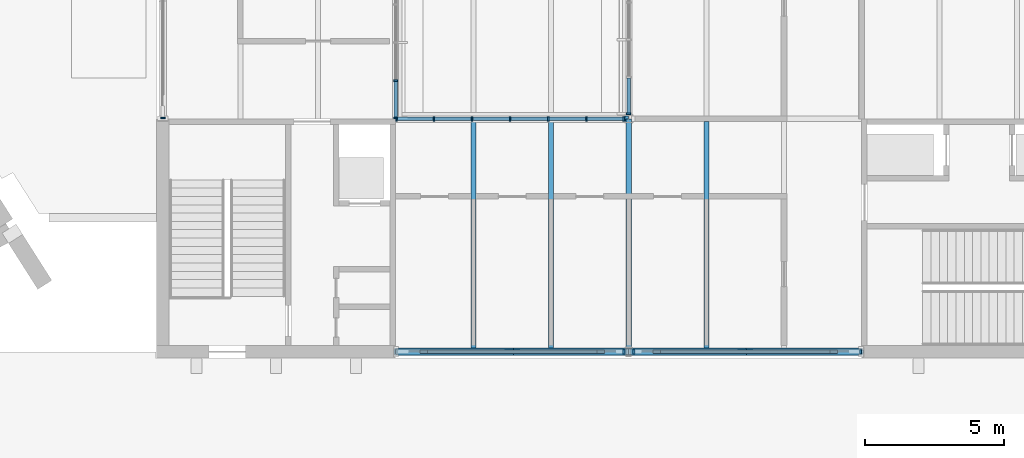
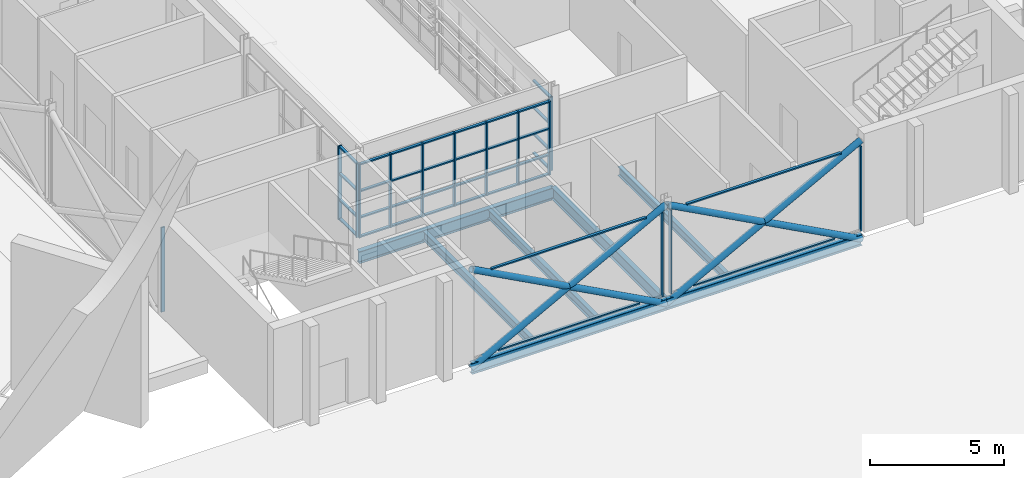
# One storey, part 39 of 116: 56 members, 7 beams, 6 elements without a shape of their own.
"""IFC4 building model written with IfcOpenShell, lengths in metres."""

from ifc_helpers import new_model, si_unit, direction, frame, origin, origin_2d, place, context, subcontext, project, spatial, rectangle, hollow_circle, i_section, extrude, material, layer, layer_set, material_profile, profile_set, type_object, element, aggregate, save


model = new_model("IFC4")

# Units and contexts
model_context = context("Model", 3, precision=1e-05, world=origin(), true_north=direction((0.0, 1.0)))
body_context = subcontext(model_context, "Body", "Model", "MODEL_VIEW")
ifc_project = project(units=[si_unit("LENGTHUNIT", "METRE"), si_unit("AREAUNIT", "SQUARE_METRE"), si_unit("VOLUMEUNIT", "CUBIC_METRE"), si_unit("PLANEANGLEUNIT", "RADIAN"), si_unit("MASSUNIT", "GRAM", prefix="KILO")], contexts=[model_context])

# Site, building, storey
site_placement = place(None, origin())
site = spatial("IfcSite", under=ifc_project, at=site_placement, CompositionType="ELEMENT")
building_placement = place(site_placement, origin())
building = spatial("IfcBuilding", under=site, at=building_placement, Name="Ardhachandra Cancer Care Centre", CompositionType="ELEMENT")
storey_placement = place(building_placement, origin())
storey = spatial("IfcBuildingStorey", under=building, at=storey_placement, Name="L00", CompositionType="ELEMENT", Elevation=0.0)

# Beams
ifc_material_1 = material(Name="Steel E350 (IS 2062)", Category="steel")
ifc_material_profile_1 = material_profile(ifc_material_1, i_section(OverallWidth=0.179931640625, OverallDepth=0.39990234375, WebThickness=0.008544921875, FlangeThickness=0.013427734375, FilletRadius=0.02099609375, at=origin_2d()), Name="NPB 400x180x66.30")
ifc_profile_set_1 = profile_set([ifc_material_profile_1], Name="Steel E350 (IS 2062)")
beam_type_1 = type_object("IfcBeamType", Name="Beam NPB 400x180x66.30", PredefinedType="BEAM", material=ifc_profile_set_1)
for number, where, z_axis, x_axis, name in (
    (1, (122.800048828125, 29.5, -0.35009765625), (0.0, 1.0, 0.0), (-1.0, 0.0, 0.0), "Secondary C14-D14@2800"),
    (2, (125.60009765625, 29.5, -0.35009765625), (0.0, 1.0, 0.0), (-1.0, 0.0, 0.0), "Secondary C14-D14@5600"),
    (3, (131.199951171875, 29.5, -0.35009765625), (0.0, 1.0, 0.0), (-1.0, 0.0, 0.0), "Secondary C15-D15@2800"),
):
    element("IfcBeam", number, at=place(storey_placement, frame(where, z_axis=z_axis, x_axis=x_axis)), inside=storey, type_object=beam_type_1, Name=name, PredefinedType="BEAM", context=body_context, shape_type="SweptSolid", body=[
        extrude(i_section(OverallWidth=0.179931640625, OverallDepth=0.39990234375, WebThickness=0.008544921875, FlangeThickness=0.013427734375, FilletRadius=0.02099609375, at=origin_2d()), origin(), (0.0, 0.0, 1.0), 8.195068359375),
    ])
ifc_material_2 = material(Name="Steel E350 (IS 2062)", Category="steel")
ifc_material_profile_2 = material_profile(ifc_material_2, i_section(OverallWidth=0.199951171875, OverallDepth=0.5, WebThickness=0.01025390625, FlangeThickness=0.01611328125, FilletRadius=0.02099609375, at=origin_2d()), Name="NPB 500x200x90.68")
ifc_profile_set_2 = profile_set([ifc_material_profile_2], Name="Steel E350 (IS 2062)")
beam_type_2 = type_object("IfcBeamType", Name="Beam NPB 500x200x90.68", PredefinedType="BEAM", material=ifc_profile_set_2)
beam_1_placement = place(storey_placement, frame((120.0, 29.39990234375, -0.39990234375), z_axis=(1.0, 0.0, 0.0), x_axis=(0.0, 1.0, 0.0)))
element("IfcBeam", 4, at=beam_1_placement, inside=storey, type_object=beam_type_2, Name="Edge girder C14-C15", PredefinedType="BEAM", context=body_context, shape_type="SweptSolid", body=[
    extrude(i_section(OverallWidth=0.199951171875, OverallDepth=0.5, WebThickness=0.01025390625, FlangeThickness=0.01611328125, FilletRadius=0.02099609375, at=origin_2d()), origin(), (0.0, 0.0, 1.0), 8.39990234375),
])
beam_2_placement = place(storey_placement, frame((128.39990234375, 29.39990234375, -0.39990234375), z_axis=(1.0, 0.0, 0.0), x_axis=(0.0, 1.0, 0.0)))
element("IfcBeam", 5, at=beam_2_placement, inside=storey, type_object=beam_type_2, Name="Edge girder C15-C16", PredefinedType="BEAM", context=body_context, shape_type="SweptSolid", body=[
    extrude(i_section(OverallWidth=0.199951171875, OverallDepth=0.5, WebThickness=0.01025390625, FlangeThickness=0.01611328125, FilletRadius=0.02099609375, at=origin_2d()), origin(), (0.0, 0.0, 1.0), 8.400146484375),
])
ifc_material_3 = material(Name="Steel E350 (IS 2062)", Category="steel")
ifc_material_profile_3 = material_profile(ifc_material_3, i_section(OverallWidth=0.2099609375, OverallDepth=0.550048828125, WebThickness=0.010986328125, FlangeThickness=0.01708984375, FilletRadius=0.02392578125, at=origin_2d()), Name="NPB 550x210x105.52")
ifc_profile_set_3 = profile_set([ifc_material_profile_3], Name="Steel E350 (IS 2062)")
beam_type_3 = type_object("IfcBeamType", Name="Beam NPB 550x210x105.52", PredefinedType="BEAM", material=ifc_profile_set_3)
beam_3_placement = place(storey_placement, frame((120.0, 37.800048828125, -0.425048828125), z_axis=(1.0, 0.0, 0.0), x_axis=(0.0, 1.0, 0.0)))
element("IfcBeam", 6, at=beam_3_placement, inside=storey, type_object=beam_type_3, Name="Girder D14-D15", PredefinedType="BEAM", context=body_context, shape_type="SweptSolid", body=[
    extrude(i_section(OverallWidth=0.2099609375, OverallDepth=0.550048828125, WebThickness=0.010986328125, FlangeThickness=0.01708984375, FilletRadius=0.02392578125, at=origin_2d()), origin(), (0.0, 0.0, 1.0), 8.39990234375),
])
beam_4_placement = place(storey_placement, frame((128.39990234375, 29.39990234375, -0.425048828125), z_axis=(0.0, 1.0, 0.0), x_axis=(-1.0, 0.0, 0.0)))
element("IfcBeam", 7, at=beam_4_placement, inside=storey, type_object=beam_type_3, Name="Girder C15-D15", PredefinedType="BEAM", context=body_context, shape_type="SweptSolid", body=[
    extrude(i_section(OverallWidth=0.2099609375, OverallDepth=0.550048828125, WebThickness=0.010986328125, FlangeThickness=0.01708984375, FilletRadius=0.02392578125, at=origin_2d()), origin(), (0.0, 0.0, 1.0), 8.400146484375),
])

# Members
ifc_material_4 = material(Name="Steel E350 (IS 2062)", Category="steel")
ifc_material_profile_4 = material_profile(ifc_material_4, hollow_circle(Radius=0.136474609375, WallThickness=0.010009765625, at=origin_2d()), Name="CHS 273x10.0")
ifc_profile_set_4 = profile_set([ifc_material_profile_4], Name="Steel E350 (IS 2062)")
member_type_1 = type_object("IfcMemberType", Name="Brace CHS 273x10.0", PredefinedType="BRACE", material=ifc_profile_set_4)
member_1_placement = place(storey_placement, frame((120.0, 29.39990234375, -0.39990234375), z_axis=(0.881477684796, 0.0, 0.472225678258), x_axis=(0.0, 1.0, 0.0)))
element("IfcMember", 8, at=member_1_placement, inside=storey, type_object=member_type_1, Name="Brace V4-X294-1200 L00 A", PredefinedType="BRACE", context=body_context, shape_type="SweptSolid", body=[
    extrude(hollow_circle(Radius=0.136474609375, WallThickness=0.010009765625, at=origin_2d()), origin(), (0.0, 0.0, 1.0), 9.529296875),
])
for number, where, z_axis, x_axis, name in (
    (9, (128.39990234375, 29.39990234375, -0.39990234375), (-0.881477684796, 0.0, 0.472225678258), (0.0, -1.0, 0.0), "Brace V4-X294-1200 L00 B1"),
    (10, (124.199951171875, 29.39990234375, 1.85009765625), (-0.881477684796, 0.0, 0.472225678258), (0.0, -1.0, 0.0), "Brace V4-X294-1200 L00 B2"),
):
    element("IfcMember", number, at=place(storey_placement, frame(where, z_axis=z_axis, x_axis=x_axis)), inside=storey, type_object=member_type_1, Name=name, PredefinedType="BRACE", context=body_context, shape_type="SweptSolid", body=[
        extrude(hollow_circle(Radius=0.136474609375, WallThickness=0.010009765625, at=origin_2d()), origin(), (0.0, 0.0, 1.0), 4.7646484375),
    ])
member_2_placement = place(storey_placement, frame((128.39990234375, 29.39990234375, -0.39990234375), z_axis=(0.881483397762, 0.0, 0.472215014025), x_axis=(0.0, 1.0, 0.0)))
element("IfcMember", 11, at=member_2_placement, inside=storey, type_object=member_type_1, Name="Brace V4-X294-1284 L00 A", PredefinedType="BRACE", context=body_context, shape_type="SweptSolid", body=[
    extrude(hollow_circle(Radius=0.136474609375, WallThickness=0.010009765625, at=origin_2d()), origin(), (0.0, 0.0, 1.0), 9.529541015625),
])
member_3_placement = place(storey_placement, frame((136.800048828125, 29.39990234375, -0.39990234375), z_axis=(-0.881477684796, 0.0, 0.472225678258), x_axis=(0.0, -1.0, 0.0)))
element("IfcMember", 12, at=member_3_placement, inside=storey, type_object=member_type_1, Name="Brace V4-X294-1284 L00 B1", PredefinedType="BRACE", context=body_context, shape_type="SweptSolid", body=[
    extrude(hollow_circle(Radius=0.136474609375, WallThickness=0.010009765625, at=origin_2d()), origin(), (0.0, 0.0, 1.0), 4.7646484375),
])
member_4_placement = place(storey_placement, frame((132.60009765625, 29.39990234375, 1.85009765625), z_axis=(-0.881489110341, 0.0, 0.472204350203), x_axis=(0.0, -1.0, 0.0)))
element("IfcMember", 13, at=member_4_placement, inside=storey, type_object=member_type_1, Name="Brace V4-X294-1284 L00 B2", PredefinedType="BRACE", context=body_context, shape_type="SweptSolid", body=[
    extrude(hollow_circle(Radius=0.136474609375, WallThickness=0.010009765625, at=origin_2d()), origin(), (0.0, 0.0, 1.0), 4.764892578125),
])

# Curtain wall, members
ifc_material_5 = material(Name="Aluminium extrusion", Category="aluminium")
ifc_layer = layer(ifc_material_5, 0.14990234375)
ifc_layer_set = layer_set([ifc_layer], Name="Aluminium extrusion")
curtain_wall_type = type_object("IfcCurtainWallType", Name="Curtain wall run", PredefinedType="NOTDEFINED", material=ifc_layer_set)
curtain_wall_1_placement = place(storey_placement, origin())
curtain_wall_1 = element("IfcCurtainWall", 14, at=curtain_wall_1_placement, inside=storey, type_object=curtain_wall_type, Name="Curtain wall L00 e/0120000_0037800", PredefinedType="NOTDEFINED")
ifc_material_6 = material(Name="Aluminium extrusion", Category="aluminium")
ifc_material_profile_5 = material_profile(ifc_material_6, rectangle(XDim=0.159912109375, YDim=0.06005859375, at=origin_2d()), Name="Curtain wall mullion 60 x 160")
ifc_profile_set_5 = profile_set([ifc_material_profile_5], Name="Aluminium extrusion")
member_type_2 = type_object("IfcMemberType", Name="Curtain wall mullion 60 x 160", PredefinedType="MULLION", material=ifc_profile_set_5)
member_5_placement = place(storey_placement, frame((120.0, 37.830078125, 0.449951171875), z_axis=(0.0, 0.0, 1.0), x_axis=(-1.0, 0.0, 0.0)))
member_5 = element("IfcMember", 15, at=member_5_placement, type_object=member_type_2, Name="CW mullion 1", PredefinedType="MULLION", context=body_context, shape_type="SweptSolid", body=[
    extrude(rectangle(XDim=0.159912109375, YDim=0.06005859375, at=origin_2d()), origin(), (0.0, 0.0, 1.0), 3.35009765625),
])
member_6_placement = place(storey_placement, frame((120.0, 39.175048828125, 0.449951171875), z_axis=(0.0, 0.0, 1.0), x_axis=(-1.0, 0.0, 0.0)))
member_6 = element("IfcMember", 16, at=member_6_placement, type_object=member_type_2, Name="CW mullion 2", PredefinedType="MULLION", context=body_context, shape_type="SweptSolid", body=[
    extrude(rectangle(XDim=0.159912109375, YDim=0.06005859375, at=origin_2d()), origin(), (0.0, 0.0, 1.0), 3.35009765625),
])

curtain_wall_2_placement = place(storey_placement, origin())
curtain_wall_2 = element("IfcCurtainWall", 17, at=curtain_wall_2_placement, inside=storey, type_object=curtain_wall_type, Name="Curtain wall L00 n/0120000_0037800", PredefinedType="NOTDEFINED")
member_7_placement = place(storey_placement, frame((120.030029296875, 37.800048828125, 0.449951171875), z_axis=(0.0, 0.0, 1.0), x_axis=(0.0, 1.0, 0.0)))
member_7 = element("IfcMember", 18, at=member_7_placement, type_object=member_type_2, Name="CW mullion 1", PredefinedType="MULLION", context=body_context, shape_type="SweptSolid", body=[
    extrude(rectangle(XDim=0.159912109375, YDim=0.06005859375, at=origin_2d()), origin(), (0.0, 0.0, 1.0), 3.35009765625),
])
member_8_placement = place(storey_placement, frame((121.375, 37.800048828125, 0.449951171875), z_axis=(0.0, 0.0, 1.0), x_axis=(0.0, 1.0, 0.0)))
member_8 = element("IfcMember", 19, at=member_8_placement, type_object=member_type_2, Name="CW mullion 2", PredefinedType="MULLION", context=body_context, shape_type="SweptSolid", body=[
    extrude(rectangle(XDim=0.159912109375, YDim=0.06005859375, at=origin_2d()), origin(), (0.0, 0.0, 1.0), 3.35009765625),
])
member_9_placement = place(storey_placement, frame((122.75, 37.800048828125, 0.449951171875), z_axis=(0.0, 0.0, 1.0), x_axis=(0.0, 1.0, 0.0)))
member_9 = element("IfcMember", 20, at=member_9_placement, type_object=member_type_2, Name="CW mullion 3", PredefinedType="MULLION", context=body_context, shape_type="SweptSolid", body=[
    extrude(rectangle(XDim=0.159912109375, YDim=0.06005859375, at=origin_2d()), origin(), (0.0, 0.0, 1.0), 3.35009765625),
])
member_10_placement = place(storey_placement, frame((124.125, 37.800048828125, 0.449951171875), z_axis=(0.0, 0.0, 1.0), x_axis=(0.0, 1.0, 0.0)))
member_10 = element("IfcMember", 21, at=member_10_placement, type_object=member_type_2, Name="CW mullion 4", PredefinedType="MULLION", context=body_context, shape_type="SweptSolid", body=[
    extrude(rectangle(XDim=0.159912109375, YDim=0.06005859375, at=origin_2d()), origin(), (0.0, 0.0, 1.0), 3.35009765625),
])
member_11_placement = place(storey_placement, frame((125.5, 37.800048828125, 0.449951171875), z_axis=(0.0, 0.0, 1.0), x_axis=(0.0, 1.0, 0.0)))
member_11 = element("IfcMember", 22, at=member_11_placement, type_object=member_type_2, Name="CW mullion 5", PredefinedType="MULLION", context=body_context, shape_type="SweptSolid", body=[
    extrude(rectangle(XDim=0.159912109375, YDim=0.06005859375, at=origin_2d()), origin(), (0.0, 0.0, 1.0), 3.35009765625),
])
member_12_placement = place(storey_placement, frame((126.875, 37.800048828125, 0.449951171875), z_axis=(0.0, 0.0, 1.0), x_axis=(0.0, 1.0, 0.0)))
member_12 = element("IfcMember", 23, at=member_12_placement, type_object=member_type_2, Name="CW mullion 6", PredefinedType="MULLION", context=body_context, shape_type="SweptSolid", body=[
    extrude(rectangle(XDim=0.159912109375, YDim=0.06005859375, at=origin_2d()), origin(), (0.0, 0.0, 1.0), 3.35009765625),
])
member_13_placement = place(storey_placement, frame((128.219970703125, 37.800048828125, 0.449951171875), z_axis=(0.0, 0.0, 1.0), x_axis=(0.0, 1.0, 0.0)))
member_13 = element("IfcMember", 24, at=member_13_placement, type_object=member_type_2, Name="CW mullion 7", PredefinedType="MULLION", context=body_context, shape_type="SweptSolid", body=[
    extrude(rectangle(XDim=0.159912109375, YDim=0.06005859375, at=origin_2d()), origin(), (0.0, 0.0, 1.0), 3.35009765625),
])

# Curtain wall, member
curtain_wall_3_placement = place(storey_placement, origin())
curtain_wall_3 = element("IfcCurtainWall", 25, at=curtain_wall_3_placement, inside=storey, type_object=curtain_wall_type, Name="Curtain wall L00 s/0120000_0029400", PredefinedType="NOTDEFINED")
member_14_placement = place(storey_placement, frame((128.219970703125, 29.39990234375, 0.0), z_axis=(0.0, 0.0, 1.0), x_axis=(0.0, 1.0, 0.0)))
member_14 = element("IfcMember", 26, at=member_14_placement, type_object=member_type_2, Name="CW mullion 2", PredefinedType="MULLION", context=body_context, shape_type="SweptSolid", body=[
    extrude(rectangle(XDim=0.159912109375, YDim=0.06005859375, at=origin_2d()), origin(), (0.0, 0.0, 1.0), 3.8310546875),
])

# Curtain wall, members
curtain_wall_4_placement = place(storey_placement, origin())
curtain_wall_4 = element("IfcCurtainWall", 27, at=curtain_wall_4_placement, inside=storey, type_object=curtain_wall_type, Name="Curtain wall L00 s/0128400_0029400", PredefinedType="NOTDEFINED")
member_15_placement = place(storey_placement, frame((128.580078125, 29.39990234375, 0.0), z_axis=(0.0, 0.0, 1.0), x_axis=(0.0, 1.0, 0.0)))
member_15 = element("IfcMember", 28, at=member_15_placement, type_object=member_type_2, Name="CW mullion 1", PredefinedType="MULLION", context=body_context, shape_type="SweptSolid", body=[
    extrude(rectangle(XDim=0.159912109375, YDim=0.06005859375, at=origin_2d()), origin(), (0.0, 0.0, 1.0), 3.8310546875),
])
member_16_placement = place(storey_placement, frame((136.77001953125, 29.39990234375, 0.0), z_axis=(0.0, 0.0, 1.0), x_axis=(0.0, 1.0, 0.0)))
member_16 = element("IfcMember", 29, at=member_16_placement, type_object=member_type_2, Name="CW mullion 2", PredefinedType="MULLION", context=body_context, shape_type="SweptSolid", body=[
    extrude(rectangle(XDim=0.159912109375, YDim=0.06005859375, at=origin_2d()), origin(), (0.0, 0.0, 1.0), 3.85009765625),
])

# Curtain wall, member
curtain_wall_5_placement = place(storey_placement, origin())
curtain_wall_5 = element("IfcCurtainWall", 30, at=curtain_wall_5_placement, inside=storey, type_object=curtain_wall_type, Name="Curtain wall L00 w/0111600_0037800", PredefinedType="NOTDEFINED")
member_17_placement = place(storey_placement, frame((111.60009765625, 37.830078125, 0.0), z_axis=(0.0, 0.0, 1.0), x_axis=(-1.0, 0.0, 0.0)))
member_17 = element("IfcMember", 31, at=member_17_placement, type_object=member_type_2, Name="CW mullion 1", PredefinedType="MULLION", context=body_context, shape_type="SweptSolid", body=[
    extrude(rectangle(XDim=0.159912109375, YDim=0.06005859375, at=origin_2d()), origin(), (0.0, 0.0, 1.0), 3.85009765625),
])
aggregate(curtain_wall_5, [member_17])

curtain_wall_6_placement = place(storey_placement, origin())
curtain_wall_6 = element("IfcCurtainWall", 32, at=curtain_wall_6_placement, inside=storey, type_object=curtain_wall_type, Name="Curtain wall L00 w/0128400_0037800", PredefinedType="NOTDEFINED")
member_18_placement = place(storey_placement, frame((128.39990234375, 37.97998046875, 0.449951171875), z_axis=(0.0, 0.0, 1.0), x_axis=(-1.0, 0.0, 0.0)))
member_18 = element("IfcMember", 33, at=member_18_placement, type_object=member_type_2, Name="CW mullion 1", PredefinedType="MULLION", context=body_context, shape_type="SweptSolid", body=[
    extrude(rectangle(XDim=0.159912109375, YDim=0.06005859375, at=origin_2d()), origin(), (0.0, 0.0, 1.0), 3.35009765625),
])

# Member
ifc_material_7 = material(Name="Aluminium extrusion", Category="aluminium")
ifc_material_profile_6 = material_profile(ifc_material_7, rectangle(XDim=0.1201171875, YDim=0.06005859375, at=origin_2d()), Name="Curtain wall transom 60 x 120")
ifc_profile_set_6 = profile_set([ifc_material_profile_6], Name="Aluminium extrusion")
member_type_3 = type_object("IfcMemberType", Name="Curtain wall transom 60 x 120", PredefinedType="USERDEFINED", material=ifc_profile_set_6)
member_19_placement = place(storey_placement, frame((120.0, 37.860107421875, 0.47998046875), z_axis=(0.0, 1.0, 0.0), x_axis=(-1.0, 0.0, 0.0)))
member_19 = element("IfcMember", 34, at=member_19_placement, type_object=member_type_3, Name="CW transom 1.1", ObjectType="TRANSOM", PredefinedType="USERDEFINED", context=body_context, shape_type="SweptSolid", body=[
    extrude(rectangle(XDim=0.1201171875, YDim=0.06005859375, at=origin_2d()), origin(), (0.0, 0.0, 1.0), 1.284912109375),
])

member_20_placement = place(storey_placement, frame((120.0, 37.860107421875, 1.35009765625), z_axis=(0.0, 1.0, 0.0), x_axis=(-1.0, 0.0, 0.0)))
member_20 = element("IfcMember", 35, at=member_20_placement, type_object=member_type_3, Name="CW transom 1.2", ObjectType="TRANSOM", PredefinedType="USERDEFINED", context=body_context, shape_type="SweptSolid", body=[
    extrude(rectangle(XDim=0.1201171875, YDim=0.06005859375, at=origin_2d()), origin(), (0.0, 0.0, 1.0), 1.284912109375),
])

member_21_placement = place(storey_placement, frame((120.0, 37.860107421875, 2.550048828125), z_axis=(0.0, 1.0, 0.0), x_axis=(-1.0, 0.0, 0.0)))
member_21 = element("IfcMember", 36, at=member_21_placement, type_object=member_type_3, Name="CW transom 1.3", ObjectType="TRANSOM", PredefinedType="USERDEFINED", context=body_context, shape_type="SweptSolid", body=[
    extrude(rectangle(XDim=0.1201171875, YDim=0.06005859375, at=origin_2d()), origin(), (0.0, 0.0, 1.0), 1.284912109375),
])

member_22_placement = place(storey_placement, frame((120.0, 37.860107421875, 3.77001953125), z_axis=(0.0, 1.0, 0.0), x_axis=(-1.0, 0.0, 0.0)))
member_22 = element("IfcMember", 37, at=member_22_placement, type_object=member_type_3, Name="CW transom 1.4", ObjectType="TRANSOM", PredefinedType="USERDEFINED", context=body_context, shape_type="SweptSolid", body=[
    extrude(rectangle(XDim=0.1201171875, YDim=0.06005859375, at=origin_2d()), origin(), (0.0, 0.0, 1.0), 1.284912109375),
])

aggregate(curtain_wall_1, [member_5, member_6, member_19, member_20, member_21, member_22])

member_23_placement = place(storey_placement, frame((120.06005859375, 37.800048828125, 0.47998046875), z_axis=(1.0, 0.0, 0.0), x_axis=(0.0, 1.0, 0.0)))
member_23 = element("IfcMember", 38, at=member_23_placement, type_object=member_type_3, Name="CW transom 1.1", ObjectType="TRANSOM", PredefinedType="USERDEFINED", context=body_context, shape_type="SweptSolid", body=[
    extrude(rectangle(XDim=0.1201171875, YDim=0.06005859375, at=origin_2d()), origin(), (0.0, 0.0, 1.0), 1.284912109375),
])

member_24_placement = place(storey_placement, frame((120.06005859375, 37.800048828125, 1.35009765625), z_axis=(1.0, 0.0, 0.0), x_axis=(0.0, 1.0, 0.0)))
member_24 = element("IfcMember", 39, at=member_24_placement, type_object=member_type_3, Name="CW transom 1.2", ObjectType="TRANSOM", PredefinedType="USERDEFINED", context=body_context, shape_type="SweptSolid", body=[
    extrude(rectangle(XDim=0.1201171875, YDim=0.06005859375, at=origin_2d()), origin(), (0.0, 0.0, 1.0), 1.284912109375),
])

member_25_placement = place(storey_placement, frame((120.06005859375, 37.800048828125, 2.550048828125), z_axis=(1.0, 0.0, 0.0), x_axis=(0.0, 1.0, 0.0)))
member_25 = element("IfcMember", 40, at=member_25_placement, type_object=member_type_3, Name="CW transom 1.3", ObjectType="TRANSOM", PredefinedType="USERDEFINED", context=body_context, shape_type="SweptSolid", body=[
    extrude(rectangle(XDim=0.1201171875, YDim=0.06005859375, at=origin_2d()), origin(), (0.0, 0.0, 1.0), 1.284912109375),
])

member_26_placement = place(storey_placement, frame((120.06005859375, 37.800048828125, 3.77001953125), z_axis=(1.0, 0.0, 0.0), x_axis=(0.0, 1.0, 0.0)))
member_26 = element("IfcMember", 41, at=member_26_placement, type_object=member_type_3, Name="CW transom 1.4", ObjectType="TRANSOM", PredefinedType="USERDEFINED", context=body_context, shape_type="SweptSolid", body=[
    extrude(rectangle(XDim=0.1201171875, YDim=0.06005859375, at=origin_2d()), origin(), (0.0, 0.0, 1.0), 1.284912109375),
])

member_27_placement = place(storey_placement, frame((121.405029296875, 37.800048828125, 0.47998046875), z_axis=(1.0, 0.0, 0.0), x_axis=(0.0, 1.0, 0.0)))
member_27 = element("IfcMember", 42, at=member_27_placement, type_object=member_type_3, Name="CW transom 2.1", ObjectType="TRANSOM", PredefinedType="USERDEFINED", context=body_context, shape_type="SweptSolid", body=[
    extrude(rectangle(XDim=0.1201171875, YDim=0.06005859375, at=origin_2d()), origin(), (0.0, 0.0, 1.0), 1.31494140625),
])

member_28_placement = place(storey_placement, frame((121.405029296875, 37.800048828125, 1.35009765625), z_axis=(1.0, 0.0, 0.0), x_axis=(0.0, 1.0, 0.0)))
member_28 = element("IfcMember", 43, at=member_28_placement, type_object=member_type_3, Name="CW transom 2.2", ObjectType="TRANSOM", PredefinedType="USERDEFINED", context=body_context, shape_type="SweptSolid", body=[
    extrude(rectangle(XDim=0.1201171875, YDim=0.06005859375, at=origin_2d()), origin(), (0.0, 0.0, 1.0), 1.31494140625),
])

member_29_placement = place(storey_placement, frame((121.405029296875, 37.800048828125, 2.550048828125), z_axis=(1.0, 0.0, 0.0), x_axis=(0.0, 1.0, 0.0)))
member_29 = element("IfcMember", 44, at=member_29_placement, type_object=member_type_3, Name="CW transom 2.3", ObjectType="TRANSOM", PredefinedType="USERDEFINED", context=body_context, shape_type="SweptSolid", body=[
    extrude(rectangle(XDim=0.1201171875, YDim=0.06005859375, at=origin_2d()), origin(), (0.0, 0.0, 1.0), 1.31494140625),
])

member_30_placement = place(storey_placement, frame((121.405029296875, 37.800048828125, 3.77001953125), z_axis=(1.0, 0.0, 0.0), x_axis=(0.0, 1.0, 0.0)))
member_30 = element("IfcMember", 45, at=member_30_placement, type_object=member_type_3, Name="CW transom 2.4", ObjectType="TRANSOM", PredefinedType="USERDEFINED", context=body_context, shape_type="SweptSolid", body=[
    extrude(rectangle(XDim=0.1201171875, YDim=0.06005859375, at=origin_2d()), origin(), (0.0, 0.0, 1.0), 1.31494140625),
])

member_31_placement = place(storey_placement, frame((122.780029296875, 37.800048828125, 0.47998046875), z_axis=(1.0, 0.0, 0.0), x_axis=(0.0, 1.0, 0.0)))
member_31 = element("IfcMember", 46, at=member_31_placement, type_object=member_type_3, Name="CW transom 3.1", ObjectType="TRANSOM", PredefinedType="USERDEFINED", context=body_context, shape_type="SweptSolid", body=[
    extrude(rectangle(XDim=0.1201171875, YDim=0.06005859375, at=origin_2d()), origin(), (0.0, 0.0, 1.0), 1.31494140625),
])

member_32_placement = place(storey_placement, frame((122.780029296875, 37.800048828125, 1.35009765625), z_axis=(1.0, 0.0, 0.0), x_axis=(0.0, 1.0, 0.0)))
member_32 = element("IfcMember", 47, at=member_32_placement, type_object=member_type_3, Name="CW transom 3.2", ObjectType="TRANSOM", PredefinedType="USERDEFINED", context=body_context, shape_type="SweptSolid", body=[
    extrude(rectangle(XDim=0.1201171875, YDim=0.06005859375, at=origin_2d()), origin(), (0.0, 0.0, 1.0), 1.31494140625),
])

member_33_placement = place(storey_placement, frame((122.780029296875, 37.800048828125, 2.550048828125), z_axis=(1.0, 0.0, 0.0), x_axis=(0.0, 1.0, 0.0)))
member_33 = element("IfcMember", 48, at=member_33_placement, type_object=member_type_3, Name="CW transom 3.3", ObjectType="TRANSOM", PredefinedType="USERDEFINED", context=body_context, shape_type="SweptSolid", body=[
    extrude(rectangle(XDim=0.1201171875, YDim=0.06005859375, at=origin_2d()), origin(), (0.0, 0.0, 1.0), 1.31494140625),
])

member_34_placement = place(storey_placement, frame((122.780029296875, 37.800048828125, 3.77001953125), z_axis=(1.0, 0.0, 0.0), x_axis=(0.0, 1.0, 0.0)))
member_34 = element("IfcMember", 49, at=member_34_placement, type_object=member_type_3, Name="CW transom 3.4", ObjectType="TRANSOM", PredefinedType="USERDEFINED", context=body_context, shape_type="SweptSolid", body=[
    extrude(rectangle(XDim=0.1201171875, YDim=0.06005859375, at=origin_2d()), origin(), (0.0, 0.0, 1.0), 1.31494140625),
])

member_35_placement = place(storey_placement, frame((124.155029296875, 37.800048828125, 0.47998046875), z_axis=(1.0, 0.0, 0.0), x_axis=(0.0, 1.0, 0.0)))
member_35 = element("IfcMember", 50, at=member_35_placement, type_object=member_type_3, Name="CW transom 4.1", ObjectType="TRANSOM", PredefinedType="USERDEFINED", context=body_context, shape_type="SweptSolid", body=[
    extrude(rectangle(XDim=0.1201171875, YDim=0.06005859375, at=origin_2d()), origin(), (0.0, 0.0, 1.0), 1.31494140625),
])

member_36_placement = place(storey_placement, frame((124.155029296875, 37.800048828125, 1.35009765625), z_axis=(1.0, 0.0, 0.0), x_axis=(0.0, 1.0, 0.0)))
member_36 = element("IfcMember", 51, at=member_36_placement, type_object=member_type_3, Name="CW transom 4.2", ObjectType="TRANSOM", PredefinedType="USERDEFINED", context=body_context, shape_type="SweptSolid", body=[
    extrude(rectangle(XDim=0.1201171875, YDim=0.06005859375, at=origin_2d()), origin(), (0.0, 0.0, 1.0), 1.31494140625),
])

member_37_placement = place(storey_placement, frame((124.155029296875, 37.800048828125, 2.550048828125), z_axis=(1.0, 0.0, 0.0), x_axis=(0.0, 1.0, 0.0)))
member_37 = element("IfcMember", 52, at=member_37_placement, type_object=member_type_3, Name="CW transom 4.3", ObjectType="TRANSOM", PredefinedType="USERDEFINED", context=body_context, shape_type="SweptSolid", body=[
    extrude(rectangle(XDim=0.1201171875, YDim=0.06005859375, at=origin_2d()), origin(), (0.0, 0.0, 1.0), 1.31494140625),
])

member_38_placement = place(storey_placement, frame((124.155029296875, 37.800048828125, 3.77001953125), z_axis=(1.0, 0.0, 0.0), x_axis=(0.0, 1.0, 0.0)))
member_38 = element("IfcMember", 53, at=member_38_placement, type_object=member_type_3, Name="CW transom 4.4", ObjectType="TRANSOM", PredefinedType="USERDEFINED", context=body_context, shape_type="SweptSolid", body=[
    extrude(rectangle(XDim=0.1201171875, YDim=0.06005859375, at=origin_2d()), origin(), (0.0, 0.0, 1.0), 1.31494140625),
])

member_39_placement = place(storey_placement, frame((125.530029296875, 37.800048828125, 0.47998046875), z_axis=(1.0, 0.0, 0.0), x_axis=(0.0, 1.0, 0.0)))
member_39 = element("IfcMember", 54, at=member_39_placement, type_object=member_type_3, Name="CW transom 5.1", ObjectType="TRANSOM", PredefinedType="USERDEFINED", context=body_context, shape_type="SweptSolid", body=[
    extrude(rectangle(XDim=0.1201171875, YDim=0.06005859375, at=origin_2d()), origin(), (0.0, 0.0, 1.0), 1.31494140625),
])

member_40_placement = place(storey_placement, frame((125.530029296875, 37.800048828125, 1.35009765625), z_axis=(1.0, 0.0, 0.0), x_axis=(0.0, 1.0, 0.0)))
member_40 = element("IfcMember", 55, at=member_40_placement, type_object=member_type_3, Name="CW transom 5.2", ObjectType="TRANSOM", PredefinedType="USERDEFINED", context=body_context, shape_type="SweptSolid", body=[
    extrude(rectangle(XDim=0.1201171875, YDim=0.06005859375, at=origin_2d()), origin(), (0.0, 0.0, 1.0), 1.31494140625),
])

member_41_placement = place(storey_placement, frame((125.530029296875, 37.800048828125, 2.550048828125), z_axis=(1.0, 0.0, 0.0), x_axis=(0.0, 1.0, 0.0)))
member_41 = element("IfcMember", 56, at=member_41_placement, type_object=member_type_3, Name="CW transom 5.3", ObjectType="TRANSOM", PredefinedType="USERDEFINED", context=body_context, shape_type="SweptSolid", body=[
    extrude(rectangle(XDim=0.1201171875, YDim=0.06005859375, at=origin_2d()), origin(), (0.0, 0.0, 1.0), 1.31494140625),
])

member_42_placement = place(storey_placement, frame((125.530029296875, 37.800048828125, 3.77001953125), z_axis=(1.0, 0.0, 0.0), x_axis=(0.0, 1.0, 0.0)))
member_42 = element("IfcMember", 57, at=member_42_placement, type_object=member_type_3, Name="CW transom 5.4", ObjectType="TRANSOM", PredefinedType="USERDEFINED", context=body_context, shape_type="SweptSolid", body=[
    extrude(rectangle(XDim=0.1201171875, YDim=0.06005859375, at=origin_2d()), origin(), (0.0, 0.0, 1.0), 1.31494140625),
])

member_43_placement = place(storey_placement, frame((126.905029296875, 37.800048828125, 0.47998046875), z_axis=(1.0, 0.0, 0.0), x_axis=(0.0, 1.0, 0.0)))
member_43 = element("IfcMember", 58, at=member_43_placement, type_object=member_type_3, Name="CW transom 6.1", ObjectType="TRANSOM", PredefinedType="USERDEFINED", context=body_context, shape_type="SweptSolid", body=[
    extrude(rectangle(XDim=0.1201171875, YDim=0.06005859375, at=origin_2d()), origin(), (0.0, 0.0, 1.0), 1.284912109375),
])

member_44_placement = place(storey_placement, frame((126.905029296875, 37.800048828125, 1.35009765625), z_axis=(1.0, 0.0, 0.0), x_axis=(0.0, 1.0, 0.0)))
member_44 = element("IfcMember", 59, at=member_44_placement, type_object=member_type_3, Name="CW transom 6.2", ObjectType="TRANSOM", PredefinedType="USERDEFINED", context=body_context, shape_type="SweptSolid", body=[
    extrude(rectangle(XDim=0.1201171875, YDim=0.06005859375, at=origin_2d()), origin(), (0.0, 0.0, 1.0), 1.284912109375),
])

member_45_placement = place(storey_placement, frame((126.905029296875, 37.800048828125, 2.550048828125), z_axis=(1.0, 0.0, 0.0), x_axis=(0.0, 1.0, 0.0)))
member_45 = element("IfcMember", 60, at=member_45_placement, type_object=member_type_3, Name="CW transom 6.3", ObjectType="TRANSOM", PredefinedType="USERDEFINED", context=body_context, shape_type="SweptSolid", body=[
    extrude(rectangle(XDim=0.1201171875, YDim=0.06005859375, at=origin_2d()), origin(), (0.0, 0.0, 1.0), 1.284912109375),
])

member_46_placement = place(storey_placement, frame((126.905029296875, 37.800048828125, 3.77001953125), z_axis=(1.0, 0.0, 0.0), x_axis=(0.0, 1.0, 0.0)))
member_46 = element("IfcMember", 61, at=member_46_placement, type_object=member_type_3, Name="CW transom 6.4", ObjectType="TRANSOM", PredefinedType="USERDEFINED", context=body_context, shape_type="SweptSolid", body=[
    extrude(rectangle(XDim=0.1201171875, YDim=0.06005859375, at=origin_2d()), origin(), (0.0, 0.0, 1.0), 1.284912109375),
])

aggregate(curtain_wall_2, [member_7, member_8, member_9, member_10, member_11, member_12, member_13, member_23, member_24, member_25, member_26, member_27, member_28, member_29, member_30, member_31, member_32, member_33, member_34, member_35, member_36, member_37, member_38, member_39, member_40, member_41, member_42, member_43, member_44, member_45, member_46])

member_47_placement = place(storey_placement, frame((121.15087890625, 29.39990234375, 0.030029296875), z_axis=(1.0, 0.0, 0.0), x_axis=(0.0, 1.0, 0.0)))
member_47 = element("IfcMember", 62, at=member_47_placement, type_object=member_type_3, Name="CW transom 1.1", ObjectType="TRANSOM", PredefinedType="USERDEFINED", context=body_context, shape_type="SweptSolid", body=[
    extrude(rectangle(XDim=0.1201171875, YDim=0.06005859375, at=origin_2d()), origin(), (0.0, 0.0, 1.0), 6.099365234375),
])

member_48_placement = place(storey_placement, frame((120.869873046875, 29.39990234375, 3.820068359375), z_axis=(1.0, 0.0, 0.0), x_axis=(0.0, 1.0, 0.0)))
member_48 = element("IfcMember", 63, at=member_48_placement, type_object=member_type_3, Name="CW transom 1.2", ObjectType="TRANSOM", PredefinedType="USERDEFINED", context=body_context, shape_type="SweptSolid", body=[
    extrude(rectangle(XDim=0.1201171875, YDim=0.06005859375, at=origin_2d()), origin(), (0.0, 0.0, 1.0), 6.660400390625),
])

aggregate(curtain_wall_3, [member_14, member_47, member_48])

member_49_placement = place(storey_placement, frame((129.55078125, 29.39990234375, 0.030029296875), z_axis=(1.0, 0.0, 0.0), x_axis=(0.0, 1.0, 0.0)))
member_49 = element("IfcMember", 64, at=member_49_placement, type_object=member_type_3, Name="CW transom 1.1", ObjectType="TRANSOM", PredefinedType="USERDEFINED", context=body_context, shape_type="SweptSolid", body=[
    extrude(rectangle(XDim=0.1201171875, YDim=0.06005859375, at=origin_2d()), origin(), (0.0, 0.0, 1.0), 6.099365234375),
])

member_50_placement = place(storey_placement, frame((129.269775390625, 29.39990234375, 3.820068359375), z_axis=(1.0, 0.0, 0.0), x_axis=(0.0, 1.0, 0.0)))
member_50 = element("IfcMember", 65, at=member_50_placement, type_object=member_type_3, Name="CW transom 1.2", ObjectType="TRANSOM", PredefinedType="USERDEFINED", context=body_context, shape_type="SweptSolid", body=[
    extrude(rectangle(XDim=0.1201171875, YDim=0.06005859375, at=origin_2d()), origin(), (0.0, 0.0, 1.0), 6.660400390625),
])

aggregate(curtain_wall_4, [member_15, member_16, member_49, member_50])

member_51_placement = place(storey_placement, frame((128.39990234375, 38.010009765625, 0.47998046875), z_axis=(0.0, 1.0, 0.0), x_axis=(-1.0, 0.0, 0.0)))
member_51 = element("IfcMember", 66, at=member_51_placement, type_object=member_type_3, Name="CW transom 1.1", ObjectType="TRANSOM", PredefinedType="USERDEFINED", context=body_context, shape_type="SweptSolid", body=[
    extrude(rectangle(XDim=0.1201171875, YDim=0.06005859375, at=origin_2d()), origin(), (0.0, 0.0, 1.0), 1.260009765625),
])

member_52_placement = place(storey_placement, frame((128.39990234375, 38.010009765625, 1.35009765625), z_axis=(0.0, 1.0, 0.0), x_axis=(-1.0, 0.0, 0.0)))
member_52 = element("IfcMember", 67, at=member_52_placement, type_object=member_type_3, Name="CW transom 1.2", ObjectType="TRANSOM", PredefinedType="USERDEFINED", context=body_context, shape_type="SweptSolid", body=[
    extrude(rectangle(XDim=0.1201171875, YDim=0.06005859375, at=origin_2d()), origin(), (0.0, 0.0, 1.0), 1.260009765625),
])

member_53_placement = place(storey_placement, frame((128.39990234375, 38.010009765625, 2.550048828125), z_axis=(0.0, 1.0, 0.0), x_axis=(-1.0, 0.0, 0.0)))
member_53 = element("IfcMember", 68, at=member_53_placement, type_object=member_type_3, Name="CW transom 1.3", ObjectType="TRANSOM", PredefinedType="USERDEFINED", context=body_context, shape_type="SweptSolid", body=[
    extrude(rectangle(XDim=0.1201171875, YDim=0.06005859375, at=origin_2d()), origin(), (0.0, 0.0, 1.0), 1.260009765625),
])

member_54_placement = place(storey_placement, frame((128.39990234375, 38.010009765625, 3.77001953125), z_axis=(0.0, 1.0, 0.0), x_axis=(-1.0, 0.0, 0.0)))
member_54 = element("IfcMember", 69, at=member_54_placement, type_object=member_type_3, Name="CW transom 1.4", ObjectType="TRANSOM", PredefinedType="USERDEFINED", context=body_context, shape_type="SweptSolid", body=[
    extrude(rectangle(XDim=0.1201171875, YDim=0.06005859375, at=origin_2d()), origin(), (0.0, 0.0, 1.0), 1.260009765625),
])

aggregate(curtain_wall_6, [member_18, member_51, member_52, member_53, member_54])

save(model, "model.ifc")
